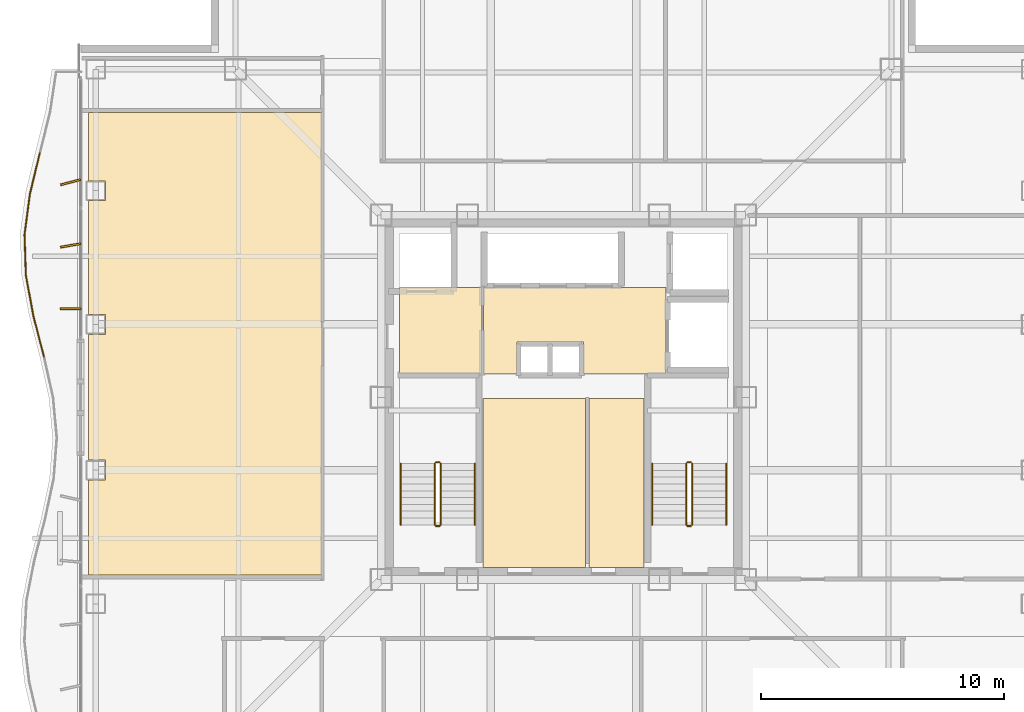
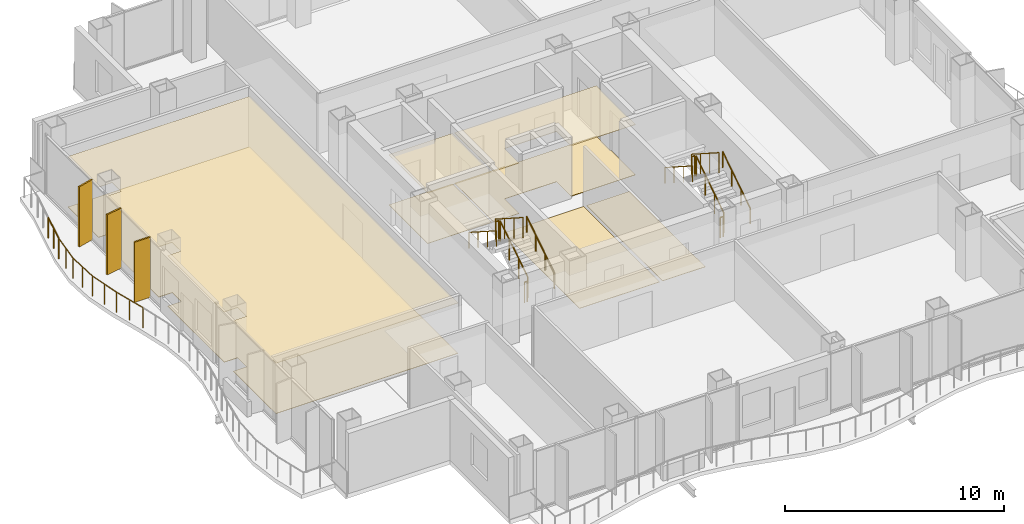
# One storey, part 14 of 16: 17 railings, 8 coverings, 3 shading devices.
"""IFC4 building model written with IfcOpenShell, lengths in metres."""

from ifc_helpers import new_model, si_unit, direction, frame, origin, origin_2d, place, context, subcontext, project, spatial, polyline, rectangle, circle, outline, extrude, material, layer, layer_set, type_object, element, save


model = new_model("IFC4")

# Units and contexts
model_context = context("Model", 3, precision=1e-05, world=origin(), true_north=direction((0.0, 1.0)))
body_context = subcontext(model_context, "Body", "Model", "MODEL_VIEW")
ifc_project = project(units=[si_unit("LENGTHUNIT", "METRE"), si_unit("AREAUNIT", "SQUARE_METRE"), si_unit("VOLUMEUNIT", "CUBIC_METRE"), si_unit("PLANEANGLEUNIT", "RADIAN"), si_unit("MASSUNIT", "GRAM", prefix="KILO")], contexts=[model_context])

# Site, building, storey
site_placement = place(None, origin())
site = spatial("IfcSite", under=ifc_project, at=site_placement, CompositionType="ELEMENT")
building_placement = place(site_placement, origin())
building = spatial("IfcBuilding", under=site, at=building_placement, Name="Trevonay Congress Spire", CompositionType="ELEMENT")
storey_placement = place(building_placement, frame((0.0, 0.0, 195.0)))
storey = spatial("IfcBuildingStorey", under=building, at=storey_placement, Name="L50", CompositionType="ELEMENT", Elevation=195.0)

# Coverings
ifc_material_1 = material(Name="Acoustic Mineral Fibre Board", Category="gypsum")
ifc_layer_1 = layer(ifc_material_1, 0.02490234375, Name="Acoustic Mineral Fibre Board")
ifc_layer_set_1 = layer_set([ifc_layer_1], Name="Acoustic Mineral Fibre Board")
covering_type_1 = type_object("IfcCoveringType", Name="COV-CEIL-ACOUSTIC", PredefinedType="CEILING", material=ifc_layer_set_1)
covering_1_placement = place(storey_placement, frame((0.0, 0.0, 2.81005859375)))
element("IfcCovering", 1, at=covering_1_placement, inside=storey, type_object=covering_type_1, Name="L50 Firefighting Lift Lobby West acoustic suspended ceiling", PredefinedType="CEILING", context=body_context, shape_type="SweptSolid", body=[
    extrude(outline(polyline([(-6.75, 0.9599609375), (-3.3798828125, 0.9599609375), (-3.3798828125, 4.52001953125), (-6.75, 4.52001953125), (-6.75, 0.9599609375)])), origin(), (0.0, 0.0, 1.0), 0.02490234375),
])
covering_2_placement = place(storey_placement, frame((0.0, 0.0, 2.81005859375)))
element("IfcCovering", 2, at=covering_2_placement, inside=storey, type_object=covering_type_1, Name="L50 Central and High-Rise Passenger Lift Lobby acoustic suspended ceiling", PredefinedType="CEILING", context=body_context, shape_type="SweptSolid", body=[
    extrude(outline(polyline([(-3.280029296875, 0.949951171875), (-1.919921875, 0.949951171875), (-1.919921875, 2.280029296875), (0.820068359375, 2.280029296875), (0.820068359375, 0.949951171875), (4.219970703125, 0.949951171875), (4.219970703125, 4.52001953125), (-3.280029296875, 4.52001953125), (-3.280029296875, 0.949951171875)])), origin(), (0.0, 0.0, 1.0), 0.02490234375),
])
covering_3_placement = place(storey_placement, frame((0.0, 0.0, 2.81005859375)))
element("IfcCovering", 3, at=covering_3_placement, inside=storey, type_object=covering_type_1, Name="L50 Harbour View Grand Banquet Dining Room acoustic suspended ceiling", PredefinedType="CEILING", context=body_context, shape_type="SweptSolid", body=[
    extrude(outline(polyline([(-19.550048828125, 11.719970703125), (-9.929931640625, 11.719970703125), (-9.929931640625, -7.320068359375), (-19.550048828125, -7.320068359375), (-19.550048828125, -3.409912109375), (-18.840087890625, -3.409912109375), (-18.840087890625, -2.590087890625), (-19.550048828125, -2.590087890625), (-19.550048828125, 2.590087890625), (-18.840087890625, 2.590087890625), (-18.840087890625, 3.409912109375), (-19.550048828125, 3.409912109375), (-19.550048828125, 8.090087890625), (-18.840087890625, 8.090087890625), (-18.840087890625, 8.909912109375), (-19.550048828125, 8.909912109375), (-19.550048828125, 11.719970703125)])), origin(), (0.0, 0.0, 1.0), 0.02490234375),
])
ifc_material_2 = material(Name="Polished Granite Floor Tile", Category="masonry")
ifc_layer_2 = layer(ifc_material_2, 0.02001953125, Name="Polished Granite Floor Tile")
ifc_layer_set_2 = layer_set([ifc_layer_2], Name="Polished Granite Floor Tile")
covering_type_2 = type_object("IfcCoveringType", Name="COV-FLOOR-STONE", PredefinedType="FLOORING", material=ifc_layer_set_2)
covering_4_placement = place(storey_placement, origin())
element("IfcCovering", 4, at=covering_4_placement, inside=storey, type_object=covering_type_2, Name="L50 Firefighting Lift Lobby West floor finish", PredefinedType="FLOORING", context=body_context, shape_type="SweptSolid", body=[
    extrude(outline(polyline([(-6.75, 0.9599609375), (-3.3798828125, 0.9599609375), (-3.3798828125, 4.52001953125), (-6.75, 4.52001953125), (-6.75, 0.9599609375)])), origin(), (0.0, 0.0, 1.0), 0.02001953125),
])
covering_5_placement = place(storey_placement, origin())
element("IfcCovering", 5, at=covering_5_placement, inside=storey, type_object=covering_type_2, Name="L50 Central and High-Rise Passenger Lift Lobby floor finish", PredefinedType="FLOORING", context=body_context, shape_type="SweptSolid", body=[
    extrude(outline(polyline([(-3.280029296875, 0.949951171875), (-1.919921875, 0.949951171875), (-1.919921875, 2.280029296875), (0.820068359375, 2.280029296875), (0.820068359375, 0.949951171875), (4.219970703125, 0.949951171875), (4.219970703125, 4.52001953125), (-3.280029296875, 4.52001953125), (-3.280029296875, 0.949951171875)])), origin(), (0.0, 0.0, 1.0), 0.02001953125),
])
covering_6_placement = place(storey_placement, origin())
element("IfcCovering", 6, at=covering_6_placement, inside=storey, type_object=covering_type_2, Name="L50 Translation Equipment Hub floor finish", PredefinedType="FLOORING", context=body_context, shape_type="SweptSolid", body=[
    extrude(outline(polyline([(-3.320068359375, -7.0), (0.89990234375, -7.0), (0.89990234375, -0.050048828125), (-3.320068359375, -0.050048828125), (-3.320068359375, -7.0)])), origin(), (0.0, 0.0, 1.0), 0.02001953125),
])
covering_7_placement = place(storey_placement, origin())
element("IfcCovering", 7, at=covering_7_placement, inside=storey, type_object=covering_type_2, Name="L50 Floor Supplies Store floor finish", PredefinedType="FLOORING", context=body_context, shape_type="SweptSolid", body=[
    extrude(outline(polyline([(1.06005859375, -7.0), (3.320068359375, -7.0), (3.320068359375, -0.050048828125), (1.06005859375, -0.050048828125), (1.06005859375, -7.0)])), origin(), (0.0, 0.0, 1.0), 0.02001953125),
])
covering_8_placement = place(storey_placement, origin())
element("IfcCovering", 8, at=covering_8_placement, inside=storey, type_object=covering_type_2, Name="L50 Harbour View Grand Banquet Dining Room floor finish", PredefinedType="FLOORING", context=body_context, shape_type="SweptSolid", body=[
    extrude(outline(polyline([(-19.550048828125, 11.719970703125), (-9.929931640625, 11.719970703125), (-9.929931640625, -7.320068359375), (-19.550048828125, -7.320068359375), (-19.550048828125, -3.409912109375), (-18.840087890625, -3.409912109375), (-18.840087890625, -2.590087890625), (-19.550048828125, -2.590087890625), (-19.550048828125, 2.590087890625), (-18.840087890625, 2.590087890625), (-18.840087890625, 3.409912109375), (-19.550048828125, 3.409912109375), (-19.550048828125, 8.090087890625), (-18.840087890625, 8.090087890625), (-18.840087890625, 8.909912109375), (-19.550048828125, 8.909912109375), (-19.550048828125, 11.719970703125)])), origin(), (0.0, 0.0, 1.0), 0.02001953125),
])

# Railings
ifc_material_3 = material(Name="Pale Anodised Aluminium EN AW-6063-T6", Category="aluminium")
railing_type_1 = type_object("IfcRailingType", Name="RAL-EXT-GUARD-115", PredefinedType="GUARDRAIL", material=ifc_material_3)
railing_1_placement = place(storey_placement, frame((-21.554931640625, 10.0439453125, 0.0)))
element("IfcRailing", 9, at=railing_1_placement, inside=storey, type_object=railing_type_1, Name="L50 perimeter safety guard GRD-L50-WAV-W-20", PredefinedType="GUARDRAIL", context=body_context, shape_type="SweptSolid", body=[
    extrude(circle(Radius=0.02392578125, at=origin_2d()), frame((0.0, 0.0, 1.1259765625), z_axis=(-0.235190198179, -0.971949366315, 0.0), x_axis=(0.971949366315, -0.235190198179, 0.0)), (0.0, 0.0, 1.0), 1.72216796875),
    extrude(circle(Radius=0.02099609375, at=origin_2d()), origin(), (0.0, 0.0, 1.0), 1.101806640625),
    extrude(circle(Radius=0.02099609375, at=origin_2d()), frame((-0.20263671875, -0.8369140625, 0.0)), (0.0, 0.0, 1.0), 1.101806640625),
    extrude(circle(Radius=0.02099609375, at=origin_2d()), frame((-0.405029296875, -1.673828125, 0.0)), (0.0, 0.0, 1.0), 1.101806640625),
])
railing_2_placement = place(storey_placement, frame((-21.9599609375, 8.3701171875, 0.0)))
element("IfcRailing", 10, at=railing_2_placement, inside=storey, type_object=railing_type_1, Name="L50 perimeter safety guard GRD-L50-WAV-W-21", PredefinedType="GUARDRAIL", context=body_context, shape_type="SweptSolid", body=[
    extrude(circle(Radius=0.02392578125, at=origin_2d()), frame((0.0, 0.0, 1.1259765625), z_axis=(-0.13141557184, -0.991327366453, 0.0), x_axis=(0.991327366453, -0.13141557184, 0.0)), (0.0, 0.0, 1.0), 1.688720703125),
    extrude(circle(Radius=0.02099609375, at=origin_2d()), origin(), (0.0, 0.0, 1.0), 1.101806640625),
    extrude(circle(Radius=0.02099609375, at=origin_2d()), frame((-0.11083984375, -0.8369140625, 0.0)), (0.0, 0.0, 1.0), 1.101806640625),
    extrude(circle(Radius=0.02099609375, at=origin_2d()), frame((-0.221923828125, -1.674072265625, 0.0)), (0.0, 0.0, 1.0), 1.101806640625),
])
railing_3_placement = place(storey_placement, frame((-22.181884765625, 6.696044921875, 0.0)))
element("IfcRailing", 11, at=railing_3_placement, inside=storey, type_object=railing_type_1, Name="L50 perimeter safety guard GRD-L50-WAV-W-22", PredefinedType="GUARDRAIL", context=body_context, shape_type="SweptSolid", body=[
    extrude(circle(Radius=0.02392578125, at=origin_2d()), frame((0.0, 0.0, 1.1259765625), z_axis=(0.032795532801, -0.999462081836, 0.0), x_axis=(0.999462081836, 0.032795532801, 0.0)), (0.0, 0.0, 1.0), 1.675048828125),
    extrude(circle(Radius=0.02099609375, at=origin_2d()), origin(), (0.0, 0.0, 1.0), 1.101806640625),
    extrude(circle(Radius=0.02099609375, at=origin_2d()), frame((0.02734375, -0.8369140625, 0.0)), (0.0, 0.0, 1.0), 1.101806640625),
    extrude(circle(Radius=0.02099609375, at=origin_2d()), frame((0.054931640625, -1.674072265625, 0.0)), (0.0, 0.0, 1.0), 1.101806640625),
])
railing_4_placement = place(storey_placement, frame((-22.126953125, 5.02197265625, 0.0)))
element("IfcRailing", 12, at=railing_4_placement, inside=storey, type_object=railing_type_1, Name="L50 perimeter safety guard GRD-L50-WAV-W-23", PredefinedType="GUARDRAIL", context=body_context, shape_type="SweptSolid", body=[
    extrude(circle(Radius=0.02392578125, at=origin_2d()), frame((0.0, 0.0, 1.1259765625), z_axis=(0.182114934754, -0.983277250087, 0.0), x_axis=(0.983277250087, 0.182114934754, 0.0)), (0.0, 0.0, 1.0), 1.70263671875),
    extrude(circle(Radius=0.02099609375, at=origin_2d()), origin(), (0.0, 0.0, 1.0), 1.101806640625),
    extrude(circle(Radius=0.02099609375, at=origin_2d()), frame((0.155029296875, -0.8369140625, 0.0)), (0.0, 0.0, 1.0), 1.101806640625),
    extrude(circle(Radius=0.02099609375, at=origin_2d()), frame((0.31005859375, -1.674072265625, 0.0)), (0.0, 0.0, 1.0), 1.101806640625),
])
railing_5_placement = place(storey_placement, frame((-21.81689453125, 3.347900390625, 0.0)))
element("IfcRailing", 13, at=railing_5_placement, inside=storey, type_object=railing_type_1, Name="L50 perimeter safety guard GRD-L50-WAV-W-24", PredefinedType="GUARDRAIL", context=body_context, shape_type="SweptSolid", body=[
    extrude(circle(Radius=0.02392578125, at=origin_2d()), frame((0.0, 0.0, 1.1259765625), z_axis=(0.249839576137, -0.96828724364, 0.0), x_axis=(0.96828724364, 0.249839576137, 0.0)), (0.0, 0.0, 1.0), 1.728759765625),
    extrude(circle(Radius=0.02099609375, at=origin_2d()), origin(), (0.0, 0.0, 1.0), 1.101806640625),
    extrude(circle(Radius=0.02099609375, at=origin_2d()), frame((0.2158203125, -0.8369140625, 0.0)), (0.0, 0.0, 1.0), 1.101806640625),
    extrude(circle(Radius=0.02099609375, at=origin_2d()), frame((0.431884765625, -1.673828125, 0.0)), (0.0, 0.0, 1.0), 1.101806640625),
])
railing_type_2 = type_object("IfcRailingType", Name="RAL-STAIR-GUARD-110", PredefinedType="GUARDRAIL", material=ifc_material_3)
railing_6_placement = place(storey_placement, frame((-5.050048828125, -5.25, 0.179931640625)))
element("IfcRailing", 14, at=railing_6_placement, inside=storey, type_object=railing_type_2, Name="L50 ST-1 stair guard 1", PredefinedType="GUARDRAIL", context=body_context, shape_type="SweptSolid", body=[
    extrude(circle(Radius=0.02392578125, at=origin_2d()), frame((0.0, 0.0, 1.1259765625), z_axis=(0.0, 0.841162588446, 0.540782303519), x_axis=(-1.0, 0.0, 0.0)), (0.0, 0.0, 1.0), 2.995849609375),
    extrude(circle(Radius=0.02099609375, at=origin_2d()), origin(), (0.0, 0.0, 1.0), 1.101806640625),
    extrude(circle(Radius=0.02099609375, at=origin_2d()), frame((0.0, 0.840087890625, 0.5400390625)), (0.0, 0.0, 1.0), 1.101806640625),
    extrude(circle(Radius=0.02099609375, at=origin_2d()), frame((0.0, 1.679931640625, 1.080078125)), (0.0, 0.0, 1.0), 1.101806640625),
    extrude(circle(Radius=0.02099609375, at=origin_2d()), frame((0.0, 2.52001953125, 1.6201171875)), (0.0, 0.0, 1.0), 1.101806640625),
])
railing_7_placement = place(storey_placement, frame((-5.10009765625, -2.679931640625, 1.800048828125)))
element("IfcRailing", 15, at=railing_7_placement, inside=storey, type_object=railing_type_2, Name="L50 ST-1 stair guard 2", PredefinedType="GUARDRAIL", context=body_context, shape_type="SweptSolid", body=[
    extrude(circle(Radius=0.02392578125, at=origin_2d()), frame((0.0, 0.0, 1.1259765625), z_axis=(-1.0, 0.0, 0.0), x_axis=(0.0, -1.0, 0.0)), (0.0, 0.0, 1.0), 0.14990234375),
    extrude(circle(Radius=0.02099609375, at=origin_2d()), origin(), (0.0, 0.0, 1.0), 1.101806640625),
    extrude(circle(Radius=0.02099609375, at=origin_2d()), frame((-0.14990234375, 0.0, 0.0)), (0.0, 0.0, 1.0), 1.101806640625),
])
railing_8_placement = place(storey_placement, frame((-5.300048828125, -2.72998046875, 1.97998046875)))
element("IfcRailing", 16, at=railing_8_placement, inside=storey, type_object=railing_type_2, Name="L50 ST-1 stair guard 3", PredefinedType="GUARDRAIL", context=body_context, shape_type="SweptSolid", body=[
    extrude(circle(Radius=0.02392578125, at=origin_2d()), frame((0.0, 0.0, 1.1259765625), z_axis=(0.0, -0.841162588446, 0.540782303519), x_axis=(1.0, 0.0, 0.0)), (0.0, 0.0, 1.0), 2.995849609375),
    extrude(circle(Radius=0.02099609375, at=origin_2d()), origin(), (0.0, 0.0, 1.0), 1.101806640625),
    extrude(circle(Radius=0.02099609375, at=origin_2d()), frame((0.0, -0.840087890625, 0.5400390625)), (0.0, 0.0, 1.0), 1.101806640625),
    extrude(circle(Radius=0.02099609375, at=origin_2d()), frame((0.0, -1.679931640625, 1.080078125)), (0.0, 0.0, 1.0), 1.101806640625),
    extrude(circle(Radius=0.02099609375, at=origin_2d()), frame((0.0, -2.52001953125, 1.6201171875)), (0.0, 0.0, 1.0), 1.101806640625),
])
railing_9_placement = place(storey_placement, frame((-5.10009765625, -5.300048828125, 0.0)))
element("IfcRailing", 17, at=railing_9_placement, inside=storey, type_object=railing_type_2, Name="L50 ST-1 stair guard 4", PredefinedType="GUARDRAIL", context=body_context, shape_type="SweptSolid", body=[
    extrude(circle(Radius=0.02392578125, at=origin_2d()), frame((0.0, 0.0, 1.1259765625), z_axis=(-1.0, 0.0, 0.0), x_axis=(0.0, -1.0, 0.0)), (0.0, 0.0, 1.0), 0.14990234375),
    extrude(circle(Radius=0.02099609375, at=origin_2d()), origin(), (0.0, 0.0, 1.0), 1.101806640625),
    extrude(circle(Radius=0.02099609375, at=origin_2d()), frame((-0.14990234375, 0.0, 0.0)), (0.0, 0.0, 1.0), 1.101806640625),
])
railing_10_placement = place(storey_placement, frame((5.300048828125, -5.25, 0.179931640625)))
element("IfcRailing", 18, at=railing_10_placement, inside=storey, type_object=railing_type_2, Name="L50 ST-2 stair guard 1", PredefinedType="GUARDRAIL", context=body_context, shape_type="SweptSolid", body=[
    extrude(circle(Radius=0.02392578125, at=origin_2d()), frame((0.0, 0.0, 1.1259765625), z_axis=(0.0, 0.841162588446, 0.540782303519), x_axis=(-1.0, 0.0, 0.0)), (0.0, 0.0, 1.0), 2.995849609375),
    extrude(circle(Radius=0.02099609375, at=origin_2d()), origin(), (0.0, 0.0, 1.0), 1.101806640625),
    extrude(circle(Radius=0.02099609375, at=origin_2d()), frame((0.0, 0.840087890625, 0.5400390625)), (0.0, 0.0, 1.0), 1.101806640625),
    extrude(circle(Radius=0.02099609375, at=origin_2d()), frame((0.0, 1.679931640625, 1.080078125)), (0.0, 0.0, 1.0), 1.101806640625),
    extrude(circle(Radius=0.02099609375, at=origin_2d()), frame((0.0, 2.52001953125, 1.6201171875)), (0.0, 0.0, 1.0), 1.101806640625),
])
railing_11_placement = place(storey_placement, frame((5.25, -2.679931640625, 1.800048828125)))
element("IfcRailing", 19, at=railing_11_placement, inside=storey, type_object=railing_type_2, Name="L50 ST-2 stair guard 2", PredefinedType="GUARDRAIL", context=body_context, shape_type="SweptSolid", body=[
    extrude(circle(Radius=0.02392578125, at=origin_2d()), frame((0.0, 0.0, 1.1259765625), z_axis=(-1.0, 0.0, 0.0), x_axis=(0.0, -1.0, 0.0)), (0.0, 0.0, 1.0), 0.14990234375),
    extrude(circle(Radius=0.02099609375, at=origin_2d()), origin(), (0.0, 0.0, 1.0), 1.101806640625),
    extrude(circle(Radius=0.02099609375, at=origin_2d()), frame((-0.14990234375, 0.0, 0.0)), (0.0, 0.0, 1.0), 1.101806640625),
])
railing_12_placement = place(storey_placement, frame((5.050048828125, -2.72998046875, 1.97998046875)))
element("IfcRailing", 20, at=railing_12_placement, inside=storey, type_object=railing_type_2, Name="L50 ST-2 stair guard 3", PredefinedType="GUARDRAIL", context=body_context, shape_type="SweptSolid", body=[
    extrude(circle(Radius=0.02392578125, at=origin_2d()), frame((0.0, 0.0, 1.1259765625), z_axis=(0.0, -0.841162588446, 0.540782303519), x_axis=(1.0, 0.0, 0.0)), (0.0, 0.0, 1.0), 2.995849609375),
    extrude(circle(Radius=0.02099609375, at=origin_2d()), origin(), (0.0, 0.0, 1.0), 1.101806640625),
    extrude(circle(Radius=0.02099609375, at=origin_2d()), frame((0.0, -0.840087890625, 0.5400390625)), (0.0, 0.0, 1.0), 1.101806640625),
    extrude(circle(Radius=0.02099609375, at=origin_2d()), frame((0.0, -1.679931640625, 1.080078125)), (0.0, 0.0, 1.0), 1.101806640625),
    extrude(circle(Radius=0.02099609375, at=origin_2d()), frame((0.0, -2.52001953125, 1.6201171875)), (0.0, 0.0, 1.0), 1.101806640625),
])
railing_13_placement = place(storey_placement, frame((5.25, -5.300048828125, 0.0)))
element("IfcRailing", 21, at=railing_13_placement, inside=storey, type_object=railing_type_2, Name="L50 ST-2 stair guard 4", PredefinedType="GUARDRAIL", context=body_context, shape_type="SweptSolid", body=[
    extrude(circle(Radius=0.02392578125, at=origin_2d()), frame((0.0, 0.0, 1.1259765625), z_axis=(-1.0, 0.0, 0.0), x_axis=(0.0, -1.0, 0.0)), (0.0, 0.0, 1.0), 0.14990234375),
    extrude(circle(Radius=0.02099609375, at=origin_2d()), origin(), (0.0, 0.0, 1.0), 1.101806640625),
    extrude(circle(Radius=0.02099609375, at=origin_2d()), frame((-0.14990234375, 0.0, 0.0)), (0.0, 0.0, 1.0), 1.101806640625),
])
railing_type_3 = type_object("IfcRailingType", Name="RAL-STAIR-HANDRAIL", PredefinedType="HANDRAIL", material=ifc_material_3)
railing_14_placement = place(storey_placement, frame((-3.64990234375, -5.25, 0.179931640625)))
element("IfcRailing", 22, at=railing_14_placement, inside=storey, type_object=railing_type_3, Name="L50 ST-1 stair handrail 1", PredefinedType="HANDRAIL", context=body_context, shape_type="SweptSolid", body=[
    extrude(circle(Radius=0.02392578125, at=origin_2d()), frame((0.0, 0.0, 0.8759765625), z_axis=(0.0, 0.841162588446, 0.540782303519), x_axis=(-1.0, 0.0, 0.0)), (0.0, 0.0, 1.0), 2.995849609375),
    extrude(circle(Radius=0.02099609375, at=origin_2d()), origin(), (0.0, 0.0, 1.0), 0.851806640625),
    extrude(circle(Radius=0.02099609375, at=origin_2d()), frame((0.0, 0.840087890625, 0.5400390625)), (0.0, 0.0, 1.0), 0.851806640625),
    extrude(circle(Radius=0.02099609375, at=origin_2d()), frame((0.0, 1.679931640625, 1.080078125)), (0.0, 0.0, 1.0), 0.851806640625),
    extrude(circle(Radius=0.02099609375, at=origin_2d()), frame((0.0, 2.52001953125, 1.6201171875)), (0.0, 0.0, 1.0), 0.851806640625),
])
railing_15_placement = place(storey_placement, frame((-6.699951171875, -2.72998046875, 1.97998046875)))
element("IfcRailing", 23, at=railing_15_placement, inside=storey, type_object=railing_type_3, Name="L50 ST-1 stair handrail 2", PredefinedType="HANDRAIL", context=body_context, shape_type="SweptSolid", body=[
    extrude(circle(Radius=0.02392578125, at=origin_2d()), frame((0.0, 0.0, 0.8759765625), z_axis=(0.0, -0.841162588446, 0.540782303519), x_axis=(1.0, 0.0, 0.0)), (0.0, 0.0, 1.0), 2.995849609375),
    extrude(circle(Radius=0.02099609375, at=origin_2d()), origin(), (0.0, 0.0, 1.0), 0.851806640625),
    extrude(circle(Radius=0.02099609375, at=origin_2d()), frame((0.0, -0.840087890625, 0.5400390625)), (0.0, 0.0, 1.0), 0.851806640625),
    extrude(circle(Radius=0.02099609375, at=origin_2d()), frame((0.0, -1.679931640625, 1.080078125)), (0.0, 0.0, 1.0), 0.851806640625),
    extrude(circle(Radius=0.02099609375, at=origin_2d()), frame((0.0, -2.52001953125, 1.6201171875)), (0.0, 0.0, 1.0), 0.851806640625),
])
railing_16_placement = place(storey_placement, frame((6.699951171875, -5.25, 0.179931640625)))
element("IfcRailing", 24, at=railing_16_placement, inside=storey, type_object=railing_type_3, Name="L50 ST-2 stair handrail 1", PredefinedType="HANDRAIL", context=body_context, shape_type="SweptSolid", body=[
    extrude(circle(Radius=0.02392578125, at=origin_2d()), frame((0.0, 0.0, 0.8759765625), z_axis=(0.0, 0.841162588446, 0.540782303519), x_axis=(-1.0, 0.0, 0.0)), (0.0, 0.0, 1.0), 2.995849609375),
    extrude(circle(Radius=0.02099609375, at=origin_2d()), origin(), (0.0, 0.0, 1.0), 0.851806640625),
    extrude(circle(Radius=0.02099609375, at=origin_2d()), frame((0.0, 0.840087890625, 0.5400390625)), (0.0, 0.0, 1.0), 0.851806640625),
    extrude(circle(Radius=0.02099609375, at=origin_2d()), frame((0.0, 1.679931640625, 1.080078125)), (0.0, 0.0, 1.0), 0.851806640625),
    extrude(circle(Radius=0.02099609375, at=origin_2d()), frame((0.0, 2.52001953125, 1.6201171875)), (0.0, 0.0, 1.0), 0.851806640625),
])
railing_17_placement = place(storey_placement, frame((3.64990234375, -2.72998046875, 1.97998046875)))
element("IfcRailing", 25, at=railing_17_placement, inside=storey, type_object=railing_type_3, Name="L50 ST-2 stair handrail 2", PredefinedType="HANDRAIL", context=body_context, shape_type="SweptSolid", body=[
    extrude(circle(Radius=0.02392578125, at=origin_2d()), frame((0.0, 0.0, 0.8759765625), z_axis=(0.0, -0.841162588446, 0.540782303519), x_axis=(1.0, 0.0, 0.0)), (0.0, 0.0, 1.0), 2.995849609375),
    extrude(circle(Radius=0.02099609375, at=origin_2d()), origin(), (0.0, 0.0, 1.0), 0.851806640625),
    extrude(circle(Radius=0.02099609375, at=origin_2d()), frame((0.0, -0.840087890625, 0.5400390625)), (0.0, 0.0, 1.0), 0.851806640625),
    extrude(circle(Radius=0.02099609375, at=origin_2d()), frame((0.0, -1.679931640625, 1.080078125)), (0.0, 0.0, 1.0), 0.851806640625),
    extrude(circle(Radius=0.02099609375, at=origin_2d()), frame((0.0, -2.52001953125, 1.6201171875)), (0.0, 0.0, 1.0), 0.851806640625),
])

# Shading devices
shading_device_type = type_object("IfcShadingDeviceType", Name="SHD-FIN-Z3-PALE-METAL", PredefinedType="USERDEFINED", material=ifc_material_3)
for number, where, z_axis, x_axis, name in (
    (26, (-20.280029296875, 3.64990234375, 0.0), (0.0, 0.0, 1.0), (0.0, 1.0, 0.0), "L50 W vertical pale-metal solar fin 7"),
    (27, (-20.280029296875, 6.25, 0.0), (0.0, 0.0, 1.0), (-0.16745706111, 0.98587937025, 0.0), "L50 W vertical pale-metal solar fin 8"),
    (28, (-20.280029296875, 8.85009765625, 0.0), (0.0, 0.0, 1.0), (-0.2549394954, 0.966957007154, 0.0), "L50 W vertical pale-metal solar fin 9"),
):
    element("IfcShadingDevice", number, at=place(storey_placement, frame(where, z_axis=z_axis, x_axis=x_axis)), inside=storey, type_object=shading_device_type, Name=name, ObjectType="SOLAR FIN", PredefinedType="USERDEFINED", context=body_context, shape_type="SweptSolid", body=[
        extrude(rectangle(XDim=0.080078125, YDim=0.85009765625, at=origin_2d()), origin(), (0.0, 0.0, 1.0), 3.360107421875),
    ])

save(model, "model.ifc")
